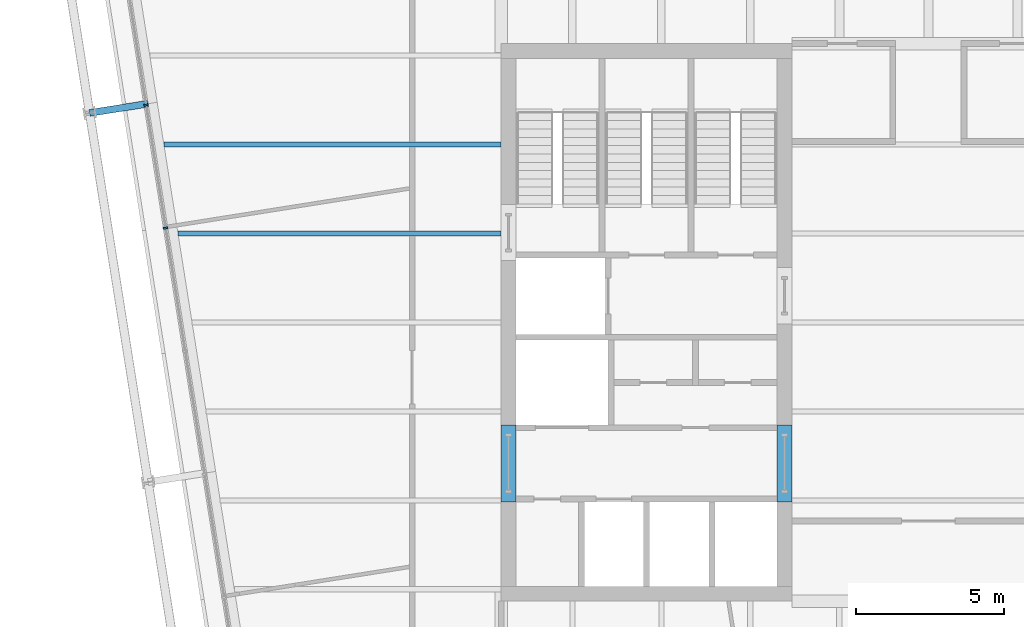
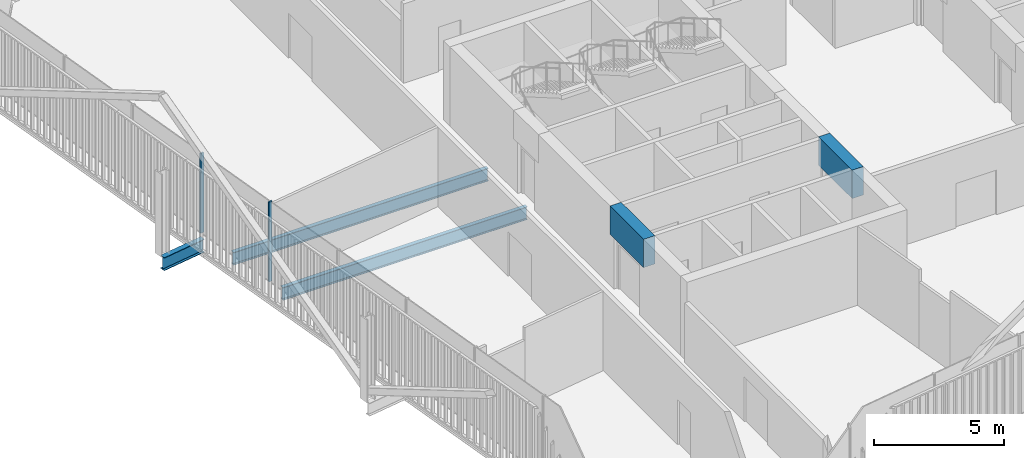
# One storey, part 7 of 21: 5 beams, 2 members, 1 element without a shape of its own.
"""IFC4 building model written with IfcOpenShell, lengths in metres."""

from ifc_helpers import new_model, si_unit, direction, frame, origin, origin_2d, place, context, subcontext, project, spatial, rectangle, i_section, extrude, material, layer, layer_set, material_profile, profile_set, type_object, element, aggregate, save


model = new_model("IFC4")

# Units and contexts
model_context = context("Model", 3, precision=1e-05, world=origin(), true_north=direction((0.0, 1.0)))
body_context = subcontext(model_context, "Body", "Model", "MODEL_VIEW")
ifc_project = project(units=[si_unit("LENGTHUNIT", "METRE"), si_unit("AREAUNIT", "SQUARE_METRE"), si_unit("VOLUMEUNIT", "CUBIC_METRE"), si_unit("PLANEANGLEUNIT", "RADIAN"), si_unit("MASSUNIT", "GRAM", prefix="KILO")], contexts=[model_context])

# Site, building, storey
site_placement = place(None, origin())
site = spatial("IfcSite", under=ifc_project, at=site_placement, CompositionType="ELEMENT")
building_placement = place(site_placement, origin())
building = spatial("IfcBuilding", under=site, at=building_placement, Name="Millrace Tower", CompositionType="ELEMENT")
storey_placement = place(building_placement, frame((0.0, 0.0, 212.5)))
storey = spatial("IfcBuildingStorey", under=building, at=storey_placement, Name="L48", CompositionType="ELEMENT", Elevation=212.5)

# Curtain wall, members
ifc_material_1 = material(Name="Aluminium and glass", Category="aluminium")
ifc_layer = layer(ifc_material_1, 0.14990234375)
ifc_layer_set = layer_set([ifc_layer], Name="Aluminium and glass")
curtain_wall_type = type_object("IfcCurtainWallType", Name="CW-1 office vision curtain wall", PredefinedType="NOTDEFINED", material=ifc_layer_set)
curtain_wall_placement = place(storey_placement, origin())
curtain_wall = element("IfcCurtainWall", 1, at=curtain_wall_placement, inside=storey, type_object=curtain_wall_type, Name="Curtain wall D-F08 L48", PredefinedType="NOTDEFINED")
ifc_material_2 = material(Name="Aluminium", Category="aluminium")
ifc_material_profile_1 = material_profile(ifc_material_2, rectangle(XDim=0.06494140625, YDim=0.14990234375, at=origin_2d()))
ifc_profile_set_1 = profile_set([ifc_material_profile_1], Name="Aluminium")
member_type = type_object("IfcMemberType", Name="CW-1 office vision curtain wall mullion", PredefinedType="MULLION", material=ifc_profile_set_1)
member_1_placement = place(storey_placement, frame((-26.371337890625, 7.33056640625, 0.139892578125), z_axis=(0.0, 0.0, 1.0), x_axis=(0.156434471884, -0.987688339511, 0.0)))
member_1 = element("IfcMember", 2, at=member_1_placement, type_object=member_type, Name="CW1 mullion D-F08.4", PredefinedType="MULLION", context=body_context, shape_type="SweptSolid", body=[
    extrude(rectangle(XDim=0.06494140625, YDim=0.14990234375, at=origin_2d()), origin(), (0.0, 0.0, 1.0), 3.760009765625),
])
member_2_placement = place(storey_placement, frame((-25.71435546875, 3.182373046875, 0.139892578125), z_axis=(0.0, 0.0, 1.0), x_axis=(0.156434471884, -0.987688339511, 0.0)))
member_2 = element("IfcMember", 3, at=member_2_placement, type_object=member_type, Name="CW1 mullion D-F08.5", PredefinedType="MULLION", context=body_context, shape_type="SweptSolid", body=[
    extrude(rectangle(XDim=0.06494140625, YDim=0.14990234375, at=origin_2d()), origin(), (0.0, 0.0, 1.0), 3.760009765625),
])
aggregate(curtain_wall, [member_1, member_2])

# Beams
ifc_material_3 = material(Name="Concrete C60", Category="concrete")
ifc_material_profile_2 = material_profile(ifc_material_3, rectangle(XDim=0.5, YDim=1.340087890625, at=origin_2d()))
ifc_profile_set_2 = profile_set([ifc_material_profile_2], Name="Concrete C60")
beam_type_1 = type_object("IfcBeamType", Name="Coupling beam 500 x 1340 Concrete C60, 2000 opening", PredefinedType="BEAM", material=ifc_profile_set_2)
for number, where, z_axis, x_axis, name in (
    (4, (-14.14990234375, -6.050048828125, 3.070068359375), (0.0, 1.0, 0.0), (-1.0, 0.0, 0.0), "Coupling beam W L48"),
    (5, (-4.85009765625, -6.050048828125, 3.070068359375), (0.0, 1.0, 0.0), (-1.0, 0.0, 0.0), "Coupling beam W L48"),
):
    element("IfcBeam", number, at=place(storey_placement, frame(where, z_axis=z_axis, x_axis=x_axis)), inside=storey, type_object=beam_type_1, Name=name, PredefinedType="BEAM", context=body_context, shape_type="SweptSolid", body=[
        extrude(rectangle(XDim=0.5, YDim=1.340087890625, at=origin_2d()), origin(), (0.0, 0.0, 1.0), 2.60009765625),
    ])
ifc_material_4 = material(Name="Steel ASTM A992 Grade 50", Category="steel")
ifc_material_profile_3 = material_profile(ifc_material_4, i_section(OverallWidth=0.1787109375, OverallDepth=0.60205078125, WebThickness=0.010986328125, FlangeThickness=0.014892578125, FilletRadius=0.0126953125, at=origin_2d()))
ifc_profile_set_3 = profile_set([ifc_material_profile_3], Name="Steel ASTM A992 Grade 50")
beam_type_2 = type_object("IfcBeamType", Name="Floor beam W24x62", PredefinedType="JOIST", material=ifc_profile_set_3)
beam_1_placement = place(storey_placement, frame((-25.29833984375, 3.0, -0.4609375), z_axis=(1.0, 0.0, 0.0), x_axis=(0.0, 1.0, 0.0)))
element("IfcBeam", 6, at=beam_1_placement, inside=storey, type_object=beam_type_2, Name="BM-D-L48-S1-S018", PredefinedType="JOIST", context=body_context, shape_type="SweptSolid", body=[
    extrude(i_section(OverallWidth=0.1787109375, OverallDepth=0.60205078125, WebThickness=0.010986328125, FlangeThickness=0.014892578125, FilletRadius=0.0126953125, at=origin_2d()), origin(), (0.0, 0.0, 1.0), 10.8984375),
])
beam_2_placement = place(storey_placement, frame((-25.7734375, 6.0, -0.4609375), z_axis=(1.0, 0.0, 0.0), x_axis=(0.0, 1.0, 0.0)))
element("IfcBeam", 7, at=beam_2_placement, inside=storey, type_object=beam_type_2, Name="BM-D-L48-S1-S021", PredefinedType="JOIST", context=body_context, shape_type="SweptSolid", body=[
    extrude(i_section(OverallWidth=0.1787109375, OverallDepth=0.60205078125, WebThickness=0.010986328125, FlangeThickness=0.014892578125, FilletRadius=0.0126953125, at=origin_2d()), origin(), (0.0, 0.0, 1.0), 11.37353515625),
])
ifc_material_5 = material(Name="Steel ASTM A992 Grade 50", Category="steel")
ifc_material_profile_4 = material_profile(ifc_material_5, i_section(OverallWidth=0.23046875, OverallDepth=0.6171875, WebThickness=0.01318359375, FlangeThickness=0.022216796875, FilletRadius=0.012939453125, at=origin_2d()))
ifc_profile_set_4 = profile_set([ifc_material_profile_4], Name="Steel ASTM A992 Grade 50")
beam_type_3 = type_object("IfcBeamType", Name="Link beam W24x94", PredefinedType="BEAM", material=ifc_profile_set_4)
beam_3_placement = place(storey_placement, frame((-26.302490234375, 7.37451171875, -0.468505859375), z_axis=(-0.987678691416, -0.156495375404, 0.0), x_axis=(0.156495375404, -0.987678691416, 0.0)))
element("IfcBeam", 8, at=beam_3_placement, inside=storey, type_object=beam_type_3, Name="LNK-D-L48-S1-03", PredefinedType="BEAM", context=body_context, shape_type="SweptSolid", body=[
    extrude(i_section(OverallWidth=0.23046875, OverallDepth=0.6171875, WebThickness=0.01318359375, FlangeThickness=0.022216796875, FilletRadius=0.012939453125, at=origin_2d()), origin(), (0.0, 0.0, 1.0), 2.0),
])

save(model, "model.ifc")
